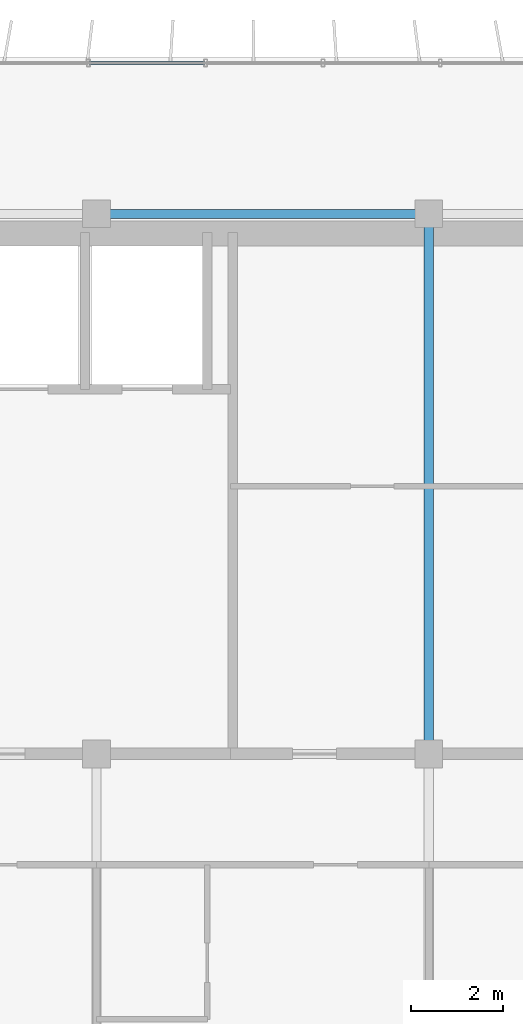
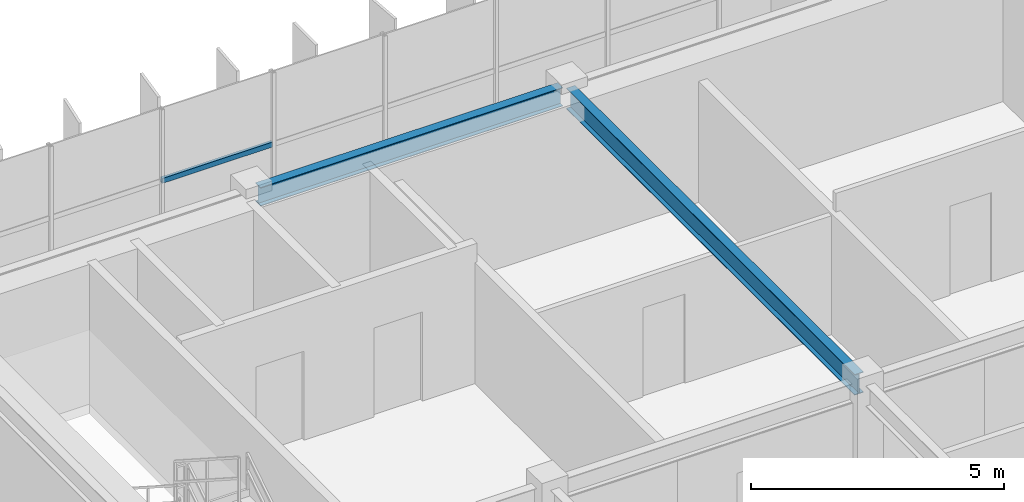
# One storey, part 7 of 23: 2 beams, 1 member, 1 element without a shape of its own.
"""IFC4 building model written with IfcOpenShell, lengths in metres."""

import ifcopenshell
import ifcopenshell.guid

model = None  # the IFC model being written
_history = None  # IfcOwnerHistory: only IFC2X3 demands one
_inside = {}  # id of a spatial element -> (the spatial element, [elements in it])
_under = {}  # id of a project, library or spatial element -> (it, [spatial elements below it])
_declared = {}  # id of a project -> (the project, [libraries it declares])
_typed = {}  # id of a type object -> (the type object, [elements of that type])
_made_of = {}  # id of a material, layer set ... -> (it, [elements and type objects made of it])


def new_model(schema):
    """Start an empty IFC model of exactly this schema.

    Asked for "IFC4X3", IfcOpenShell would pick the latest addendum, in which some entities
    have other attributes; the version numbers below select the first issue.
    IFC2X3 requires an IfcOwnerHistory on every rooted entity: one is made here for all.
    """
    global model, _history
    if schema == "IFC4X3":
        model = ifcopenshell.file(schema_version=(4, 3, 0, 0))
    else:
        model = ifcopenshell.file(schema=schema)
    _inside.clear()
    _under.clear()
    _declared.clear()
    _typed.clear()
    _made_of.clear()
    _history = None
    if model.schema == "IFC2X3":
        org = make("IfcOrganization", Name="unknown")
        user = make(
            "IfcPersonAndOrganization",
            ThePerson=make("IfcPerson", FamilyName="unknown"),
            TheOrganization=org,
        )
        app = make(
            "IfcApplication",
            ApplicationDeveloper=org,
            Version="unknown",
            ApplicationFullName="unknown",
            ApplicationIdentifier="unknown",
        )
        _history = make(
            "IfcOwnerHistory",
            OwningUser=user,
            OwningApplication=app,
            ChangeAction="ADDED",
            CreationDate=0,
        )
    return model


def make(cls, **values):
    """One entity of the class cls with the attributes given. An attribute that is None is left unset."""
    return model.create_entity(
        cls, **{name: value for name, value in values.items() if value is not None}
    )


def rooted(cls, **values):
    """An entity with a GlobalId (a new one), such as an element, a storey or a relation."""
    return make(cls, GlobalId=ifcopenshell.guid.new(), OwnerHistory=_history, **values)


def si_unit(unit_type, name, prefix=None):
    """IfcSIUnit, for example si_unit("LENGTHUNIT", "METRE", prefix="MILLI")."""
    return make("IfcSIUnit", UnitType=unit_type, Prefix=prefix, Name=name)


def assignment(units):
    """IfcUnitAssignment: the units of a project."""
    return None if units is None else make("IfcUnitAssignment", Units=units)


def point(xyz):
    """IfcCartesianPoint."""
    return None if xyz is None else make("IfcCartesianPoint", Coordinates=xyz)


def direction(xyz):
    """IfcDirection."""
    return None if xyz is None else make("IfcDirection", DirectionRatios=xyz)


def frame(location, z_axis=None, x_axis=None):
    """IfcAxis2Placement3D, a coordinate frame: its origin and axes. An axis left out is left unset."""
    return make(
        "IfcAxis2Placement3D",
        Location=point(location),
        Axis=direction(z_axis),
        RefDirection=direction(x_axis),
    )


def frame_2d(location, x_axis=None):
    """IfcAxis2Placement2D, a coordinate frame in the plane: its origin and x axis."""
    return make(
        "IfcAxis2Placement2D", Location=point(location), RefDirection=direction(x_axis)
    )


def origin():
    """The frame at (0, 0, 0) with its axes left unset."""
    return frame((0.0, 0.0, 0.0))


def origin_2d():
    """The frame at (0, 0) in the plane with its x axis left unset."""
    return frame_2d((0.0, 0.0))


def place(relative_to, where):
    """IfcLocalPlacement: puts the frame where relative to a parent placement (None: the world)."""
    return make(
        "IfcLocalPlacement", PlacementRelTo=relative_to, RelativePlacement=where
    )


def context(
    kind, dimensions, precision=None, world=None, true_north=None, identifier=None
):
    """IfcGeometricRepresentationContext, for example the 3D "Model" context."""
    return make(
        "IfcGeometricRepresentationContext",
        ContextIdentifier=identifier,
        ContextType=kind,
        CoordinateSpaceDimension=dimensions,
        Precision=precision,
        WorldCoordinateSystem=world,
        TrueNorth=true_north,
    )


def subcontext(parent, identifier, kind, view, scale=None):
    """IfcGeometricRepresentationSubContext, for example "Body" below "Model"."""
    return make(
        "IfcGeometricRepresentationSubContext",
        ContextIdentifier=identifier,
        ContextType=kind,
        ParentContext=parent,
        TargetScale=scale,
        TargetView=view,
    )


def project(units=None, contexts=None):
    """IfcProject with its units and contexts."""
    return rooted(
        "IfcProject",
        Name="project",
        RepresentationContexts=contexts,
        UnitsInContext=assignment(units),
    )


def spatial(cls, under=None, at=None, **own):
    """A site, building, storey or space (cls), placed at a placement, below another one or the project."""
    s = rooted(cls, ObjectPlacement=at, **own)
    if under is not None:
        _under.setdefault(under.id(), (under, []))[1].append(s)
    return s


def profile(cls, at=None, kind="AREA", **sizes):
    """A parametric profile (cls). Its sizes go by their IFC names, for example OverallWidth=200.0."""
    return make(cls, ProfileType=kind, Position=at, **sizes)


def hollow_rectangle(**sizes):
    """IfcRectangleHollowProfileDef."""
    return profile("IfcRectangleHollowProfileDef", **sizes)


def i_section(**sizes):
    """IfcIShapeProfileDef."""
    return profile("IfcIShapeProfileDef", **sizes)


def extrude(swept, where, along, depth):
    """IfcExtrudedAreaSolid: the profile swept, set in the frame where, extruded along a direction by depth."""
    return make(
        "IfcExtrudedAreaSolid",
        SweptArea=swept,
        Position=where,
        ExtrudedDirection=direction(along),
        Depth=depth,
    )


def shape(context_of_items, identifier, shape_type, items):
    """IfcShapeRepresentation: the items that make up one representation, for example the "Body"."""
    return make(
        "IfcShapeRepresentation",
        ContextOfItems=context_of_items,
        RepresentationIdentifier=identifier,
        RepresentationType=shape_type,
        Items=items,
    )


def source(mapping_origin, context_of_items, identifier, shape_type, items):
    """IfcRepresentationMap: a shape defined once, which mapped items show again and again."""
    return make(
        "IfcRepresentationMap",
        MappingOrigin=mapping_origin,
        MappedRepresentation=shape(context_of_items, identifier, shape_type, items),
    )


def transform(
    local_origin,
    x_axis=None,
    y_axis=None,
    z_axis=None,
    scale=None,
    scale2=None,
    scale3=None,
    uniform=True,
):
    """IfcCartesianTransformationOperator3D, or its non-uniform kind. x_axis, y_axis, z_axis: its Axis1, 2, 3."""
    if uniform:
        return make(
            "IfcCartesianTransformationOperator3D",
            Axis1=direction(x_axis),
            Axis2=direction(y_axis),
            LocalOrigin=point(local_origin),
            Scale=scale,
            Axis3=direction(z_axis),
        )
    return make(
        "IfcCartesianTransformationOperator3DnonUniform",
        Axis1=direction(x_axis),
        Axis2=direction(y_axis),
        LocalOrigin=point(local_origin),
        Scale=scale,
        Axis3=direction(z_axis),
        Scale2=scale2,
        Scale3=scale3,
    )


def mapped(mapping_source, mapping_target):
    """IfcMappedItem: shows the shape of a source again, moved by a transform."""
    return make(
        "IfcMappedItem", MappingSource=mapping_source, MappingTarget=mapping_target
    )


def material(Name=None, Category=None):
    """IfcMaterial."""
    return make("IfcMaterial", Name=Name, Category=Category)


def material_profile(
    of_material, cross_section, Name=None, Category=None, Priority=None
):
    """IfcMaterialProfile: a cross section and its material."""
    return make(
        "IfcMaterialProfile",
        Name=Name,
        Material=of_material,
        Profile=cross_section,
        Priority=Priority,
        Category=Category,
    )


def profile_set(profiles, Name=None, composite=None):
    """IfcMaterialProfileSet."""
    return make(
        "IfcMaterialProfileSet",
        Name=Name,
        MaterialProfiles=profiles,
        CompositeProfile=composite,
    )


def made_of(thing, what):
    """Note that an element or type object is made of a material, layer set ...; save() writes the relation."""
    if what is not None:
        _made_of.setdefault(what.id(), (what, []))[1].append(thing)
    return thing


def type_object(cls, material=None, **own):
    """A type object (cls), such as IfcWallType, which elements share."""
    return made_of(rooted(cls, **own), material)


def element(
    cls,
    number,
    at=None,
    inside=None,
    cuts=None,
    type_object=None,
    material=None,
    context=None,
    identifier="Body",
    shape_type=None,
    held_by="IfcProductDefinitionShape",
    body=None,
    shapes=None,
    **own,
):
    """One element of the class cls, such as IfcWall. Its Tag is "e" and its number.

    at: its placement. inside: the storey or other place that contains it. cuts: it is an
    opening in that element (IfcRelVoidsElement). A single representation is given by context,
    identifier, shape_type and body (its items); several are given by shapes. held_by: the class
    of the entity that holds the representations. save() writes the other relations.
    """
    e = rooted(cls, Tag="e%d" % number, ObjectPlacement=at, **own)
    if body is not None:
        shapes = [shape(context, identifier, shape_type, body)]
    if shapes is not None:
        e.Representation = make(held_by, Representations=shapes)
    if inside is not None:
        _inside.setdefault(inside.id(), (inside, []))[1].append(e)
    if cuts is not None:
        rooted(
            "IfcRelVoidsElement", RelatingBuildingElement=cuts, RelatedOpeningElement=e
        )
    if type_object is not None:
        _typed.setdefault(type_object.id(), (type_object, []))[1].append(e)
    return made_of(e, material)


def aggregate(whole, parts):
    """IfcRelAggregates: a whole, such as a stair, and the parts it consists of."""
    return rooted("IfcRelAggregates", RelatingObject=whole, RelatedObjects=parts)


def save(model, path):
    """Write the relations noted so far, then the file.

    IfcRelAggregates (storeys below a building ...), IfcRelContainedInSpatialStructure (elements
    in a storey), IfcRelDefinesByType, IfcRelAssociatesMaterial and IfcRelDeclares: one each for
    every whole, place, type object, material and project.
    """
    for whole, parts in _under.values():
        aggregate(whole, parts)
    for where, things in _inside.values():
        rooted(
            "IfcRelContainedInSpatialStructure",
            RelatedElements=things,
            RelatingStructure=where,
        )
    for kind, things in _typed.values():
        rooted("IfcRelDefinesByType", RelatedObjects=things, RelatingType=kind)
    for what, things in _made_of.values():
        rooted("IfcRelAssociatesMaterial", RelatedObjects=things, RelatingMaterial=what)
    for by, libraries in _declared.values():
        rooted("IfcRelDeclares", RelatingContext=by, RelatedDefinitions=libraries)
    model.write(path)


model = new_model("IFC4")

# Units and contexts
model_context = context("Model", 3, precision=1e-05, world=origin(), true_north=direction((0.0, 1.0)))
body_context = subcontext(model_context, "Body", "Model", "MODEL_VIEW")
ifc_project = project(units=[si_unit("LENGTHUNIT", "METRE"), si_unit("AREAUNIT", "SQUARE_METRE"), si_unit("VOLUMEUNIT", "CUBIC_METRE"), si_unit("PLANEANGLEUNIT", "RADIAN"), si_unit("MASSUNIT", "GRAM", prefix="KILO")], contexts=[model_context])

# Site, building, storey
site_placement = place(None, origin())
site = spatial("IfcSite", under=ifc_project, at=site_placement, CompositionType="ELEMENT")
building_placement = place(site_placement, origin())
building = spatial("IfcBuilding", under=site, at=building_placement, Name="Trelvane Seafront Commons", CompositionType="ELEMENT")
storey_placement = place(building_placement, frame((0.0, 0.0, 266.699951171875)))
storey = spatial("IfcBuildingStorey", under=building, at=storey_placement, Name="L69", CompositionType="ELEMENT", Elevation=266.699951171875)

# Beams
ifc_material_1 = material(Name="Steel SM355 (S355)", Category="steel")
ifc_material_profile_1 = material_profile(ifc_material_1, i_section(OverallWidth=0.199951171875, OverallDepth=0.5, WebThickness=0.010009765625, FlangeThickness=0.01611328125, at=origin_2d()), Name="H-500x200x10x16")
ifc_profile_set_1 = profile_set([ifc_material_profile_1], Name="Steel SM355 (S355)")
beam_type_1 = type_object("IfcBeamType", Name="STR-BM-H500", PredefinedType="BEAM", material=ifc_profile_set_1)
shared_shape_1 = source(origin(), body_context, "Body", "SweptSolid", [
    extrude(i_section(OverallWidth=0.199951171875, OverallDepth=0.5, WebThickness=0.010009765625, FlangeThickness=0.01611328125, at=origin_2d()), origin(), (0.0, 0.0, 1.0), 11.39990234375),
])
beam_1_placement = place(storey_placement, frame((30.60009765625, 33.550048828125, 3.1201171875), z_axis=(0.0, 1.0, 0.0), x_axis=(-1.0, 0.0, 0.0)))
element("IfcBeam", 1, at=beam_1_placement, inside=storey, type_object=beam_type_1, Name="L69 Primary Girder G-40", PredefinedType="BEAM", context=body_context, shape_type="MappedRepresentation", body=[
    mapped(shared_shape_1, transform((0.0, 0.0, 0.0), x_axis=(1.0, 0.0, 0.0), y_axis=(0.0, 1.0, 0.0), z_axis=(0.0, 0.0, 1.0), scale=1.0)),
])
ifc_material_profile_2 = material_profile(ifc_material_1, i_section(OverallWidth=0.199951171875, OverallDepth=0.449951171875, WebThickness=0.009033203125, FlangeThickness=0.013916015625, at=origin_2d()), Name="H-450x200x9x14")
ifc_profile_set_2 = profile_set([ifc_material_profile_2], Name="Steel SM355 (S355)")
beam_type_2 = type_object("IfcBeamType", Name="STR-SPD-H450", PredefinedType="SPANDREL", material=ifc_profile_set_2)
shared_shape_2 = source(origin(), body_context, "Body", "SweptSolid", [
    extrude(i_section(OverallWidth=0.199951171875, OverallDepth=0.449951171875, WebThickness=0.009033203125, FlangeThickness=0.013916015625, at=origin_2d()), origin(), (0.0, 0.0, 1.0), 6.89990234375),
])
beam_2_placement = place(storey_placement, frame((23.550048828125, 45.10009765625, 3.14501953125), z_axis=(1.0, 0.0, 0.0), x_axis=(0.0, 1.0, 0.0)))
element("IfcBeam", 2, at=beam_2_placement, inside=storey, type_object=beam_type_2, Name="L69 Primary Girder G-24", PredefinedType="SPANDREL", context=body_context, shape_type="MappedRepresentation", body=[
    mapped(shared_shape_2, transform((0.0, 0.0, 0.0), x_axis=(1.0, 0.0, 0.0), y_axis=(0.0, 1.0, 0.0), z_axis=(0.0, 0.0, 1.0), scale=1.0)),
])

# Curtain wall, member
ifc_material_2 = material(Name="Anodised pale-silver aluminium", Category="aluminium")
curtain_wall_type = type_object("IfcCurtainWallType", Name="ARCH-CW5-UPTOWER", PredefinedType="NOTDEFINED", material=ifc_material_2)
curtain_wall_placement = place(storey_placement, origin())
curtain_wall = element("IfcCurtainWall", 3, at=curtain_wall_placement, inside=storey, type_object=curtain_wall_type, Name="CW-L69-0113", PredefinedType="NOTDEFINED")
ifc_material_profile_3 = material_profile(ifc_material_2, hollow_rectangle(XDim=0.070068359375, YDim=0.1201171875, WallThickness=0.00390625, at=origin_2d()), Name="TRAN-70x120x4")
ifc_profile_set_3 = profile_set([ifc_material_profile_3], Name="Anodised pale-silver aluminium")
member_type = type_object("IfcMemberType", Name="ARCH-CW-TRAN-120", PredefinedType="USERDEFINED", material=ifc_profile_set_3)
shared_shape_3 = source(origin(), body_context, "Body", "SweptSolid", [
    extrude(hollow_rectangle(XDim=0.070068359375, YDim=0.1201171875, WallThickness=0.00390625, at=origin_2d()), origin(), (0.0, 0.0, 1.0), 2.51708984375),
])
member_placement = place(storey_placement, frame((23.235595703125, 48.3701171875, 1.6181640625), z_axis=(1.0, 0.0, 0.0), x_axis=(0.0, 1.0, 0.0)))
member = element("IfcMember", 4, at=member_placement, type_object=member_type, Name="CW-L69-0113-T03", ObjectType="TRANSOM", PredefinedType="USERDEFINED", context=body_context, shape_type="MappedRepresentation", body=[
    mapped(shared_shape_3, transform((0.0, 0.0, 0.0), x_axis=(1.0, 0.0, 0.0), y_axis=(0.0, 1.0, 0.0), z_axis=(0.0, 0.0, 1.0), scale=1.0)),
])
aggregate(curtain_wall, [member])

save(model, "model.ifc")
